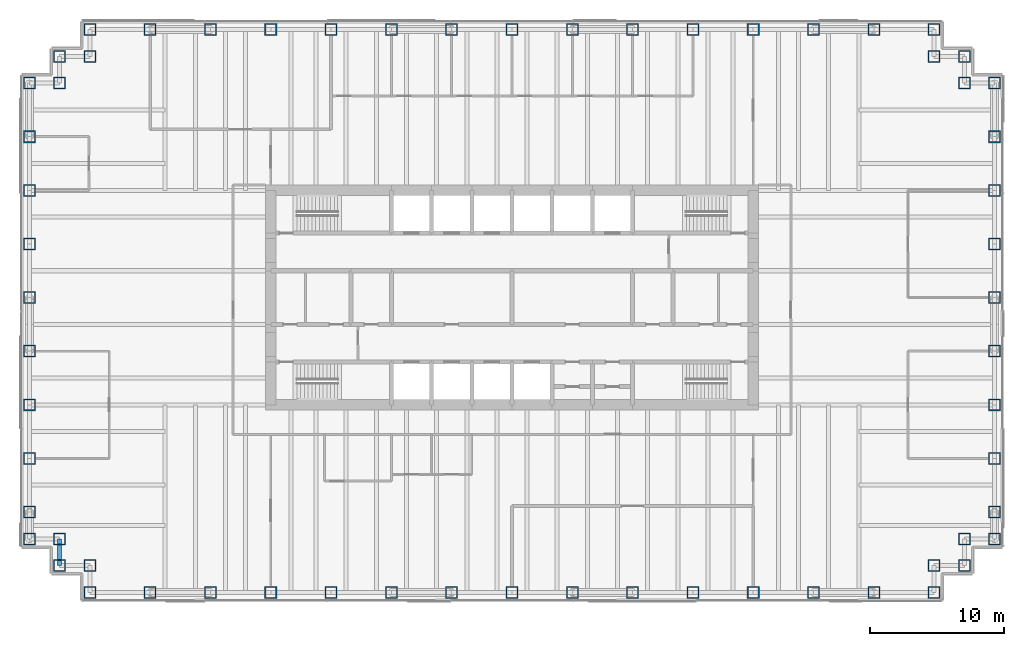
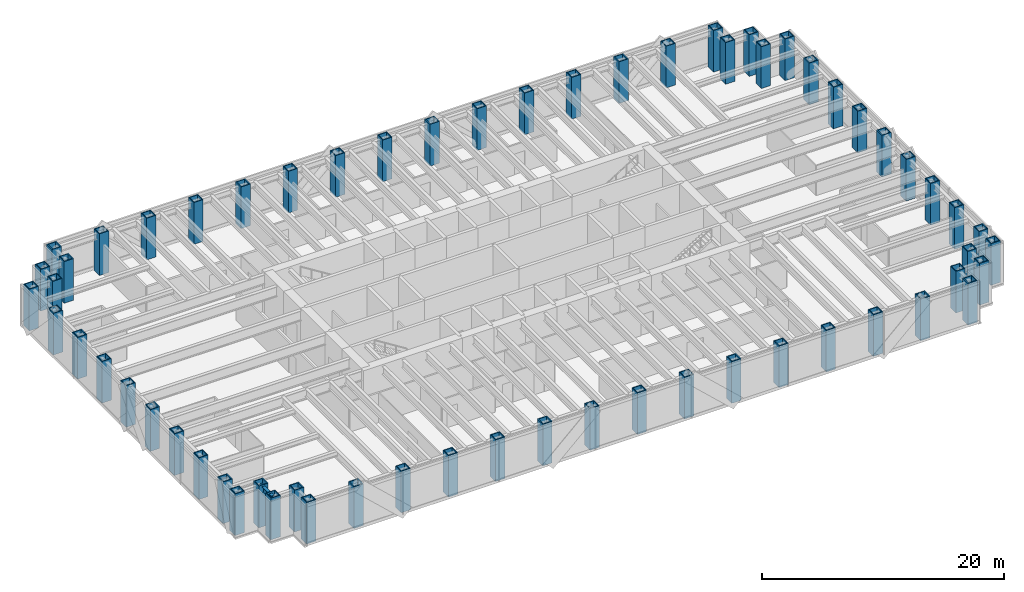
# One storey, part 1 of 15: 62 columns, 1 beam.
"""IFC4 building model written with IfcOpenShell, lengths in metres."""

from ifc_helpers import new_model, si_unit, direction, frame, origin, origin_2d, place, context, subcontext, project, spatial, hollow_rectangle, i_section, extrude, material, material_profile, profile_set, type_object, element, save


model = new_model("IFC4")

# Units and contexts
model_context = context("Model", 3, precision=1e-05, world=origin(), true_north=direction((0.0, 1.0)))
body_context = subcontext(model_context, "Body", "Model", "MODEL_VIEW")
ifc_project = project(units=[si_unit("LENGTHUNIT", "METRE"), si_unit("AREAUNIT", "SQUARE_METRE"), si_unit("VOLUMEUNIT", "CUBIC_METRE"), si_unit("PLANEANGLEUNIT", "RADIAN"), si_unit("MASSUNIT", "GRAM", prefix="KILO")], contexts=[model_context])

# Site, building, storey
site_placement = place(None, origin())
site = spatial("IfcSite", under=ifc_project, at=site_placement, CompositionType="ELEMENT")
building_placement = place(site_placement, origin())
building = spatial("IfcBuilding", under=site, at=building_placement, Name="Rheinbord Bourse Tower", CompositionType="ELEMENT")
storey_placement = place(building_placement, frame((0.0, 0.0, 236.199951171875)))
storey = spatial("IfcBuildingStorey", under=building, at=storey_placement, Name="L53", CompositionType="ELEMENT", Elevation=236.199951171875)

# Columns
ifc_material_1 = material(Name="Steel S460M", Category="steel")
ifc_material_profile_1 = material_profile(ifc_material_1, hollow_rectangle(XDim=0.89990234375, YDim=0.89990234375, WallThickness=0.080078125, at=origin_2d()), Name="BOX 900x900x80")
ifc_profile_set_1 = profile_set([ifc_material_profile_1], Name="Steel S460M")
column_type = type_object("IfcColumnType", Name="TUBE COLUMN BOX 900x900x80", PredefinedType="COLUMN", material=ifc_profile_set_1)
for number, where, z_axis, x_axis, name in (
    (1, (4.5, 2.0, 0.0), (0.0, 0.0, 1.0), (0.0, 1.0, 0.0), "Column SW-E L53"),
    (2, (9.0, 2.0, 0.0), (0.0, 0.0, 1.0), (0.0, 1.0, 0.0), "Column S-9 L53"),
    (3, (13.5, 2.0, 0.0), (0.0, 0.0, 1.0), (0.0, 1.0, 0.0), "Column S-13.5 L53"),
    (4, (18.0, 2.0, 0.0), (0.0, 0.0, 1.0), (0.0, 1.0, 0.0), "Column S-18 L53"),
    (5, (22.5, 2.0, 0.0), (0.0, 0.0, 1.0), (0.0, 1.0, 0.0), "Column S-22.5 L53"),
    (6, (27.0, 2.0, 0.0), (0.0, 0.0, 1.0), (0.0, 1.0, 0.0), "Column S-27 L53"),
    (7, (31.5, 2.0, 0.0), (0.0, 0.0, 1.0), (0.0, 1.0, 0.0), "Column S-31.5 L53"),
    (8, (36.0, 2.0, 0.0), (0.0, 0.0, 1.0), (0.0, 1.0, 0.0), "Column S-36 L53"),
    (9, (40.5, 2.0, 0.0), (0.0, 0.0, 1.0), (0.0, 1.0, 0.0), "Column S-40.5 L53"),
    (10, (45.0, 2.0, 0.0), (0.0, 0.0, 1.0), (0.0, 1.0, 0.0), "Column S-45 L53"),
    (11, (49.5, 2.0, 0.0), (0.0, 0.0, 1.0), (0.0, 1.0, 0.0), "Column S-49.5 L53"),
    (12, (54.0, 2.0, 0.0), (0.0, 0.0, 1.0), (0.0, 1.0, 0.0), "Column S-54 L53"),
    (13, (58.5, 2.0, 0.0), (0.0, 0.0, 1.0), (0.0, 1.0, 0.0), "Column S-58.5 L53"),
    (14, (63.0, 2.0, 0.0), (0.0, 0.0, 1.0), (0.0, 1.0, 0.0), "Column S-63 L53"),
    (15, (67.5, 2.0, 0.0), (0.0, 0.0, 1.0), (0.0, 1.0, 0.0), "Column SE-E L53"),
    (16, (67.5, 4.0, 0.0), (0.0, 0.0, 1.0), (0.0, 1.0, 0.0), "Column SE-D L53"),
    (17, (69.75, 4.0, 0.0), (0.0, 0.0, 1.0), (1.0, 0.0, 0.0), "Column SE-C L53"),
    (18, (69.75, 6.0, 0.0), (0.0, 0.0, 1.0), (1.0, 0.0, 0.0), "Column SE-B L53"),
    (19, (72.0, 6.0, 0.0), (0.0, 0.0, 1.0), (1.0, 0.0, 0.0), "Column SE-A L53"),
    (20, (72.0, 8.0, 0.0), (0.0, 0.0, 1.0), (1.0, 0.0, 0.0), "Column E-8 L53"),
    (21, (72.0, 12.0, 0.0), (0.0, 0.0, 1.0), (1.0, 0.0, 0.0), "Column E-12 L53"),
    (22, (72.0, 16.0, 0.0), (0.0, 0.0, 1.0), (1.0, 0.0, 0.0), "Column E-16 L53"),
    (23, (72.0, 20.0, 0.0), (0.0, 0.0, 1.0), (1.0, 0.0, 0.0), "Column E-20 L53"),
    (24, (72.0, 24.0, 0.0), (0.0, 0.0, 1.0), (1.0, 0.0, 0.0), "Column E-24 L53"),
    (25, (72.0, 28.0, 0.0), (0.0, 0.0, 1.0), (1.0, 0.0, 0.0), "Column E-28 L53"),
    (26, (72.0, 32.0, 0.0), (0.0, 0.0, 1.0), (1.0, 0.0, 0.0), "Column E-32 L53"),
    (27, (72.0, 36.0, 0.0), (0.0, 0.0, 1.0), (1.0, 0.0, 0.0), "Column E-36 L53"),
    (28, (72.0, 40.0, 0.0), (0.0, 0.0, 1.0), (1.0, 0.0, 0.0), "Column NE-A L53"),
    (29, (69.75, 40.0, 0.0), (0.0, 0.0, 1.0), (1.0, 0.0, 0.0), "Column NE-B L53"),
    (30, (69.75, 42.0, 0.0), (0.0, 0.0, 1.0), (1.0, 0.0, 0.0), "Column NE-C L53"),
    (31, (67.5, 42.0, 0.0), (0.0, 0.0, 1.0), (0.0, 1.0, 0.0), "Column NE-D L53"),
    (32, (67.5, 44.0, 0.0), (0.0, 0.0, 1.0), (0.0, 1.0, 0.0), "Column NE-E L53"),
    (33, (63.0, 44.0, 0.0), (0.0, 0.0, 1.0), (0.0, 1.0, 0.0), "Column N-63 L53"),
    (34, (58.5, 44.0, 0.0), (0.0, 0.0, 1.0), (0.0, 1.0, 0.0), "Column N-58.5 L53"),
    (35, (54.0, 44.0, 0.0), (0.0, 0.0, 1.0), (0.0, 1.0, 0.0), "Column N-54 L53"),
    (36, (49.5, 44.0, 0.0), (0.0, 0.0, 1.0), (0.0, 1.0, 0.0), "Column N-49.5 L53"),
    (37, (45.0, 44.0, 0.0), (0.0, 0.0, 1.0), (0.0, 1.0, 0.0), "Column N-45 L53"),
    (38, (40.5, 44.0, 0.0), (0.0, 0.0, 1.0), (0.0, 1.0, 0.0), "Column N-40.5 L53"),
    (39, (36.0, 44.0, 0.0), (0.0, 0.0, 1.0), (0.0, 1.0, 0.0), "Column N-36 L53"),
    (40, (31.5, 44.0, 0.0), (0.0, 0.0, 1.0), (0.0, 1.0, 0.0), "Column N-31.5 L53"),
    (41, (27.0, 44.0, 0.0), (0.0, 0.0, 1.0), (0.0, 1.0, 0.0), "Column N-27 L53"),
    (42, (22.5, 44.0, 0.0), (0.0, 0.0, 1.0), (0.0, 1.0, 0.0), "Column N-22.5 L53"),
    (43, (18.0, 44.0, 0.0), (0.0, 0.0, 1.0), (0.0, 1.0, 0.0), "Column N-18 L53"),
    (44, (13.5, 44.0, 0.0), (0.0, 0.0, 1.0), (0.0, 1.0, 0.0), "Column N-13.5 L53"),
    (45, (9.0, 44.0, 0.0), (0.0, 0.0, 1.0), (0.0, 1.0, 0.0), "Column N-9 L53"),
    (46, (4.5, 44.0, 0.0), (0.0, 0.0, 1.0), (0.0, 1.0, 0.0), "Column NW-E L53"),
    (47, (4.5, 42.0, 0.0), (0.0, 0.0, 1.0), (0.0, 1.0, 0.0), "Column NW-D L53"),
    (48, (2.25, 42.0, 0.0), (0.0, 0.0, 1.0), (1.0, 0.0, 0.0), "Column NW-C L53"),
    (49, (2.25, 40.0, 0.0), (0.0, 0.0, 1.0), (1.0, 0.0, 0.0), "Column NW-B L53"),
    (50, (0.0, 40.0, 0.0), (0.0, 0.0, 1.0), (1.0, 0.0, 0.0), "Column NW-A L53"),
    (51, (0.0, 36.0, 0.0), (0.0, 0.0, 1.0), (1.0, 0.0, 0.0), "Column W-36 L53"),
    (52, (0.0, 32.0, 0.0), (0.0, 0.0, 1.0), (1.0, 0.0, 0.0), "Column W-32 L53"),
    (53, (0.0, 28.0, 0.0), (0.0, 0.0, 1.0), (1.0, 0.0, 0.0), "Column W-28 L53"),
    (54, (0.0, 24.0, 0.0), (0.0, 0.0, 1.0), (1.0, 0.0, 0.0), "Column W-24 L53"),
    (55, (0.0, 20.0, 0.0), (0.0, 0.0, 1.0), (1.0, 0.0, 0.0), "Column W-20 L53"),
    (56, (0.0, 16.0, 0.0), (0.0, 0.0, 1.0), (1.0, 0.0, 0.0), "Column W-16 L53"),
    (57, (0.0, 12.0, 0.0), (0.0, 0.0, 1.0), (1.0, 0.0, 0.0), "Column W-12 L53"),
    (58, (0.0, 8.0, 0.0), (0.0, 0.0, 1.0), (1.0, 0.0, 0.0), "Column W-8 L53"),
    (59, (0.0, 6.0, 0.0), (0.0, 0.0, 1.0), (1.0, 0.0, 0.0), "Column SW-A L53"),
    (60, (2.25, 6.0, 0.0), (0.0, 0.0, 1.0), (1.0, 0.0, 0.0), "Column SW-B L53"),
    (61, (2.25, 4.0, 0.0), (0.0, 0.0, 1.0), (1.0, 0.0, 0.0), "Column SW-C L53"),
    (62, (4.5, 4.0, 0.0), (0.0, 0.0, 1.0), (0.0, 1.0, 0.0), "Column SW-D L53"),
):
    element("IfcColumn", number, at=place(storey_placement, frame(where, z_axis=z_axis, x_axis=x_axis)), inside=storey, type_object=column_type, Name=name, PredefinedType="COLUMN", context=body_context, shape_type="SweptSolid", body=[
        extrude(hollow_rectangle(XDim=0.89990234375, YDim=0.89990234375, WallThickness=0.080078125, at=origin_2d()), origin(), (0.0, 0.0, 1.0), 4.199951171875),
    ])

# Beam
ifc_material_2 = material(Name="Steel S460", Category="steel")
ifc_material_profile_2 = material_profile(ifc_material_2, i_section(OverallWidth=0.300048828125, OverallDepth=0.60009765625, WebThickness=0.015380859375, FlangeThickness=0.030029296875, at=origin_2d()), Name="HEB 600")
ifc_profile_set_2 = profile_set([ifc_material_profile_2], Name="Steel S460")
beam_type = type_object("IfcBeamType", Name="SPANDREL HEB 600", PredefinedType="SPANDREL", material=ifc_profile_set_2)
beam_placement = place(storey_placement, frame((2.25, 6.0, 3.739990234375), z_axis=(0.0, -1.0, 0.0), x_axis=(1.0, 0.0, 0.0)))
element("IfcBeam", 63, at=beam_placement, inside=storey, type_object=beam_type, Name="Spandrel SW-B-SW-C under L54", PredefinedType="SPANDREL", context=body_context, shape_type="SweptSolid", body=[
    extrude(i_section(OverallWidth=0.300048828125, OverallDepth=0.60009765625, WebThickness=0.015380859375, FlangeThickness=0.030029296875, at=origin_2d()), origin(), (0.0, 0.0, 1.0), 2.0),
])

save(model, "model.ifc")
